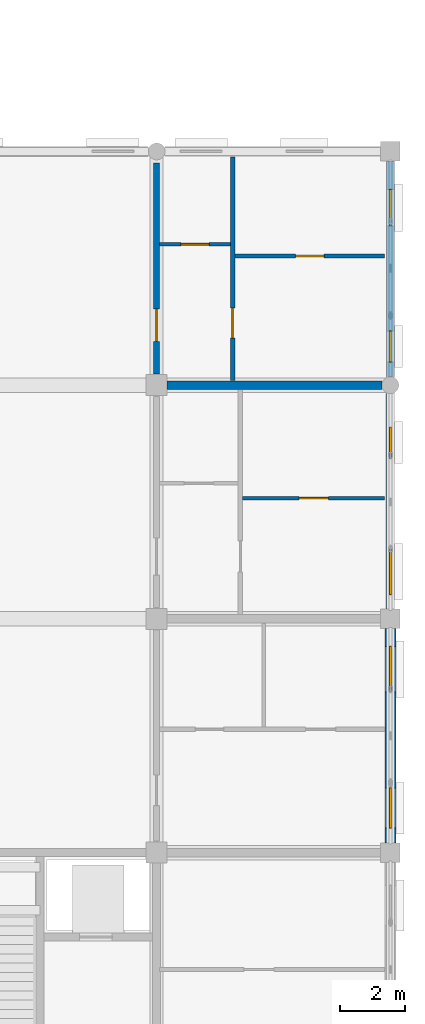
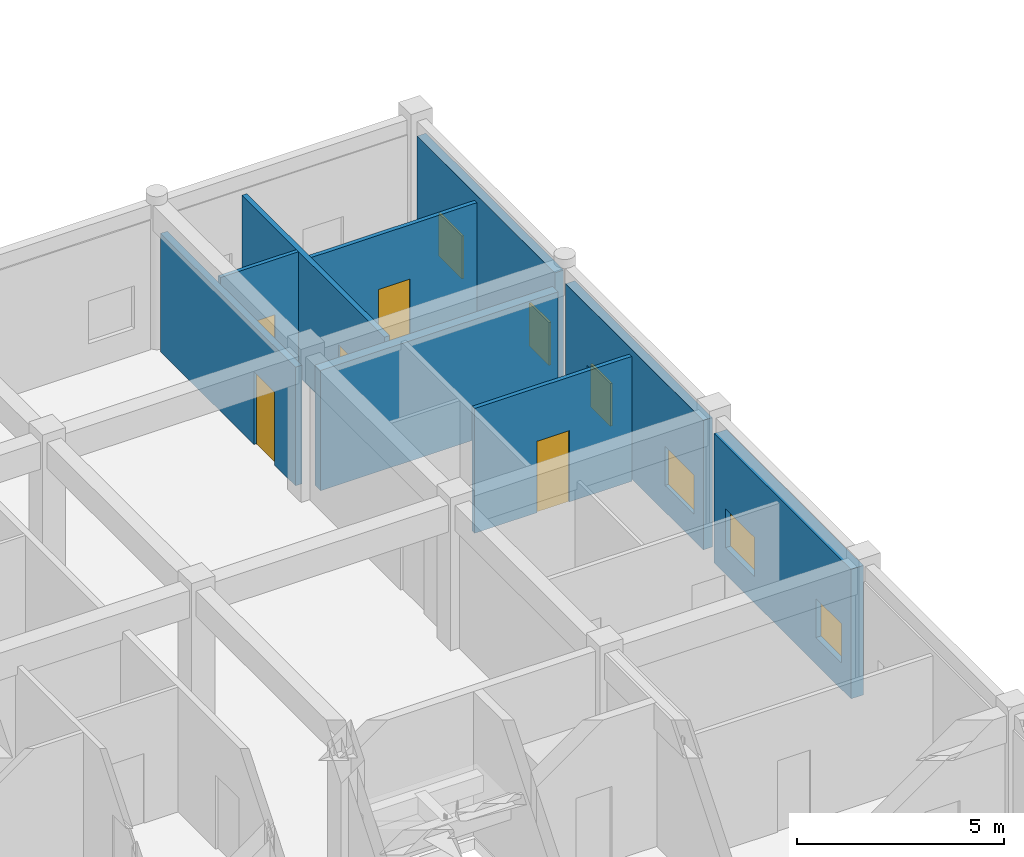
# One storey, part 114 of 138: 9 walls, 6 windows, 5 doors, 11 openings.
"""IFC4 building model written with IfcOpenShell, lengths in metres."""

from ifc_helpers import new_model, si_unit, direction, frame, frame_2d, origin, place, context, subcontext, project, spatial, rectangle, extrude, material, layer, layer_set, type_object, element, fill, save


model = new_model("IFC4")

# Units and contexts
model_context = context("Model", 3, precision=1e-05, world=origin(), true_north=direction((0.0, 1.0)))
body_context = subcontext(model_context, "Body", "Model", "MODEL_VIEW")
ifc_project = project(units=[si_unit("LENGTHUNIT", "METRE"), si_unit("AREAUNIT", "SQUARE_METRE"), si_unit("VOLUMEUNIT", "CUBIC_METRE"), si_unit("PLANEANGLEUNIT", "RADIAN"), si_unit("MASSUNIT", "GRAM", prefix="KILO"), si_unit("THERMODYNAMICTEMPERATUREUNIT", "KELVIN"), si_unit("POWERUNIT", "WATT")], contexts=[model_context])

# Site, building, storey
site_placement = place(None, origin())
site = spatial("IfcSite", under=ifc_project, at=site_placement, CompositionType="ELEMENT")
building_placement = place(site_placement, origin())
building = spatial("IfcBuilding", under=site, at=building_placement, Name="Tavuni Mirador Residences", CompositionType="ELEMENT")
storey_placement = place(building_placement, origin())
storey = spatial("IfcBuildingStorey", under=building, at=storey_placement, Name="L00", CompositionType="ELEMENT", Elevation=0.0)

# Wall, opening, door
ifc_material_1 = material(Name="Precast concrete C40/50", Category="concrete")
ifc_layer_1 = layer(ifc_material_1, 0.18505859375, Name="Precast concrete C40/50", Category="concrete")
ifc_layer_set_1 = layer_set([ifc_layer_1], Name="Precast concrete C40/50")
wall_type_1 = type_object("IfcWallType", Name="WT-CORR185", PredefinedType="PARTITIONING", material=ifc_layer_set_1)
wall_1_placement = place(storey_placement, frame((111.60009765625, 129.949951171875, 0.0), z_axis=(0.0, 0.0, 1.0), x_axis=(0.0, 1.0, 0.0)))
wall_1 = element("IfcWall", 1, at=wall_1_placement, inside=storey, type_object=wall_type_1, Name="CORW-BLK-D-L00-1-06", PredefinedType="PARTITIONING", context=body_context, shape_type="SweptSolid", body=[
    extrude(rectangle(XDim=6.5, YDim=0.18505859375, at=frame_2d((3.25, 0.0))), origin(), (0.0, 0.0, 1.0), 3.489990234375),
])
opening_1_placement = place(wall_1_placement, frame((1.0, 0.0, 0.0)))
opening_1 = element("IfcOpeningElement", 2, at=opening_1_placement, cuts=wall_1, Name="Opening D-03", PredefinedType="OPENING", context=body_context, shape_type="SweptSolid", body=[
    extrude(rectangle(XDim=1.0, YDim=2.14990234375, at=frame_2d((0.5, 1.074951171875))), frame((0.0, 0.1025390625, 0.0), z_axis=(0.0, -1.0, 0.0), x_axis=(1.0, 0.0, 0.0)), (0.0, 0.0, 1.0), 0.205078125),
])
ifc_material_2 = material(Name="Solid core iroko timber", Category="wood")
door_type_1 = type_object("IfcDoorType", Name="DT-FD60-1000", OperationType="NOTDEFINED", PredefinedType="DOOR", material=ifc_material_2)
door_1_placement = place(opening_1_placement, origin())
door_1 = element("IfcDoor", 3, at=door_1_placement, inside=storey, type_object=door_type_1, Name="DR-2820", OperationType="SINGLE_SWING_LEFT", OverallHeight=2.14990234375, OverallWidth=1.0, PredefinedType="DOOR", context=body_context, shape_type="SweptSolid", body=[
    extrude(rectangle(XDim=1.0, YDim=2.14990234375, at=frame_2d((0.5, 1.074951171875))), frame((0.0, 0.02490234375, 0.0), z_axis=(0.0, -1.0, 0.0), x_axis=(1.0, 0.0, 0.0)), (0.0, 0.0, 1.0), 0.050048828125),
])
fill(opening_1, door_1)

# Wall, openings, windows
ifc_material_3 = material(Name="Sgraffito lime-rendered precast concrete C40/50", Category="concrete")
ifc_layer_2 = layer(ifc_material_3, 0.2451171875, Name="Sgraffito lime-rendered precast concrete C40/50", Category="concrete")
ifc_layer_set_2 = layer_set([ifc_layer_2], Name="Sgraffito lime-rendered precast concrete C40/50")
wall_type_2 = type_object("IfcWallType", Name="WT-EXT-PC245", PredefinedType="SOLIDWALL", material=ifc_layer_set_2)
wall_2_placement = place(storey_placement, frame((118.800048828125, 129.860107421875, 0.0), z_axis=(0.0, 0.0, 1.0), x_axis=(0.0, 1.0, 0.0)))
wall_2 = element("IfcWall", 4, at=wall_2_placement, inside=storey, type_object=wall_type_2, Name="EW-BLK-D-L00-E06", PredefinedType="SOLIDWALL", context=body_context, shape_type="SweptSolid", body=[
    extrude(rectangle(XDim=6.639892578125, YDim=0.2451171875, at=frame_2d((3.31982421875, 0.0))), origin(), (0.0, 0.0, 1.0), 3.81005859375),
])
opening_2_placement = place(wall_2_placement, frame((0.449951171875, 0.0, 0.780029296875)))
opening_2 = element("IfcOpeningElement", 5, at=opening_2_placement, cuts=wall_2, Name="Opening WN-10", PredefinedType="OPENING", context=body_context, shape_type="SweptSolid", body=[
    extrude(rectangle(XDim=0.9599609375, YDim=1.260009765625, at=frame_2d((0.47998046875, 0.6298828125))), frame((0.0, 0.132568359375, 0.0), z_axis=(0.0, -1.0, 0.0), x_axis=(1.0, 0.0, 0.0)), (0.0, 0.0, 1.0), 0.26513671875),
])
opening_3_placement = place(wall_2_placement, frame((4.64990234375, 0.0, 0.780029296875)))
opening_3 = element("IfcOpeningElement", 6, at=opening_3_placement, cuts=wall_2, Name="Opening WN-12", PredefinedType="OPENING", context=body_context, shape_type="SweptSolid", body=[
    extrude(rectangle(XDim=1.1201171875, YDim=1.260009765625, at=frame_2d((0.56005859375, 0.6298828125))), frame((0.0, 0.132568359375, 0.0), z_axis=(0.0, -1.0, 0.0), x_axis=(1.0, 0.0, 0.0)), (0.0, 0.0, 1.0), 0.26513671875),
])
ifc_material_4 = material(Name="Laminated solar-control glass", Category="glass")
window_type_1 = type_object("IfcWindowType", Name="WNT-10", PartitioningType="SINGLE_PANEL", PredefinedType="WINDOW", material=ifc_material_4)
window_1_placement = place(opening_2_placement, origin())
window_1 = element("IfcWindow", 7, at=window_1_placement, inside=storey, type_object=window_type_1, Name="WIN-1419", OverallHeight=1.260009765625, OverallWidth=0.9599609375, PartitioningType="SINGLE_PANEL", PredefinedType="WINDOW", context=body_context, shape_type="SweptSolid", body=[
    extrude(rectangle(XDim=0.9599609375, YDim=1.260009765625, at=frame_2d((0.47998046875, 0.6298828125))), frame((0.0, 0.030029296875, 0.0), z_axis=(0.0, -1.0, 0.0), x_axis=(1.0, 0.0, 0.0)), (0.0, 0.0, 1.0), 0.06005859375),
])
fill(opening_2, window_1)
window_type_2 = type_object("IfcWindowType", Name="WNT-12", PartitioningType="SINGLE_PANEL", PredefinedType="WINDOW", material=ifc_material_4)
window_2_placement = place(opening_3_placement, origin())
window_2 = element("IfcWindow", 8, at=window_2_placement, inside=storey, type_object=window_type_2, Name="WIN-1420", OverallHeight=1.260009765625, OverallWidth=1.1201171875, PartitioningType="SINGLE_PANEL", PredefinedType="WINDOW", context=body_context, shape_type="SweptSolid", body=[
    extrude(rectangle(XDim=1.1201171875, YDim=1.260009765625, at=frame_2d((0.56005859375, 0.6298828125))), frame((0.0, 0.030029296875, 0.0), z_axis=(0.0, -1.0, 0.0), x_axis=(1.0, 0.0, 0.0)), (0.0, 0.0, 1.0), 0.06005859375),
])
fill(opening_3, window_2)

ifc_layer_3 = layer(ifc_material_3, 0.2548828125, Name="Sgraffito lime-rendered precast concrete C40/50", Category="concrete")
ifc_layer_set_3 = layer_set([ifc_layer_3], Name="Sgraffito lime-rendered precast concrete C40/50")
wall_type_3 = type_object("IfcWallType", Name="WT-EXT-PC255", PredefinedType="SOLIDWALL", material=ifc_layer_set_3)
wall_3_placement = place(storey_placement, frame((118.800048828125, 122.699951171875, 0.0), z_axis=(0.0, 0.0, 1.0), x_axis=(0.0, 1.0, 0.0)))
wall_3 = element("IfcWall", 9, at=wall_3_placement, inside=storey, type_object=wall_type_3, Name="EW-BLK-D-L00-E05", PredefinedType="SOLIDWALL", context=body_context, shape_type="SweptSolid", body=[
    extrude(rectangle(XDim=6.64013671875, YDim=0.2548828125, at=frame_2d((3.320068359375, 0.0))), origin(), (0.0, 0.0, 1.0), 3.81005859375),
])
opening_4_placement = place(wall_3_placement, frame((0.449951171875, 0.0, 0.780029296875)))
opening_4 = element("IfcOpeningElement", 10, at=opening_4_placement, cuts=wall_3, Name="Opening WN-08", PredefinedType="OPENING", context=body_context, shape_type="SweptSolid", body=[
    extrude(rectangle(XDim=1.39990234375, YDim=1.14990234375, at=frame_2d((0.699951171875, 0.574951171875))), frame((0.0, 0.137451171875, 0.0), z_axis=(0.0, -1.0, 0.0), x_axis=(1.0, 0.0, 0.0)), (0.0, 0.0, 1.0), 0.27490234375),
])
opening_5_placement = place(wall_3_placement, frame((4.64990234375, 0.0, 0.780029296875)))
opening_5 = element("IfcOpeningElement", 11, at=opening_5_placement, cuts=wall_3, Name="Opening WN-10", PredefinedType="OPENING", context=body_context, shape_type="SweptSolid", body=[
    extrude(rectangle(XDim=0.9599609375, YDim=1.260009765625, at=frame_2d((0.47998046875, 0.6298828125))), frame((0.0, 0.137451171875, 0.0), z_axis=(0.0, -1.0, 0.0), x_axis=(1.0, 0.0, 0.0)), (0.0, 0.0, 1.0), 0.27490234375),
])
window_type_3 = type_object("IfcWindowType", Name="WNT-08", PartitioningType="SINGLE_PANEL", PredefinedType="WINDOW", material=ifc_material_4)
window_3_placement = place(opening_4_placement, origin())
window_3 = element("IfcWindow", 12, at=window_3_placement, inside=storey, type_object=window_type_3, Name="WIN-1417", OverallHeight=1.14990234375, OverallWidth=1.39990234375, PartitioningType="SINGLE_PANEL", PredefinedType="WINDOW", context=body_context, shape_type="SweptSolid", body=[
    extrude(rectangle(XDim=1.39990234375, YDim=1.14990234375, at=frame_2d((0.699951171875, 0.574951171875))), frame((0.0, 0.030029296875, 0.0), z_axis=(0.0, -1.0, 0.0), x_axis=(1.0, 0.0, 0.0)), (0.0, 0.0, 1.0), 0.06005859375),
])
fill(opening_4, window_3)
window_4_placement = place(opening_5_placement, origin())
window_4 = element("IfcWindow", 13, at=window_4_placement, inside=storey, type_object=window_type_1, Name="WIN-1418", OverallHeight=1.260009765625, OverallWidth=0.9599609375, PartitioningType="SINGLE_PANEL", PredefinedType="WINDOW", context=body_context, shape_type="SweptSolid", body=[
    extrude(rectangle(XDim=0.9599609375, YDim=1.260009765625, at=frame_2d((0.47998046875, 0.6298828125))), frame((0.0, 0.030029296875, 0.0), z_axis=(0.0, -1.0, 0.0), x_axis=(1.0, 0.0, 0.0)), (0.0, 0.0, 1.0), 0.06005859375),
])
fill(opening_5, window_4)

ifc_layer_4 = layer(ifc_material_3, 0.344970703125, Name="Sgraffito lime-rendered precast concrete C40/50", Category="concrete")
ifc_layer_set_4 = layer_set([ifc_layer_4], Name="Sgraffito lime-rendered precast concrete C40/50")
wall_type_4 = type_object("IfcWallType", Name="WT-EXT-PTY345", PredefinedType="SOLIDWALL", material=ifc_layer_set_4)
wall_4_placement = place(storey_placement, frame((118.800048828125, 115.5, 0.0), z_axis=(0.0, 0.0, 1.0), x_axis=(0.0, 1.0, 0.0)))
wall_4 = element("IfcWall", 14, at=wall_4_placement, inside=storey, type_object=wall_type_4, Name="EW-BLK-D-L00-E04", PredefinedType="SOLIDWALL", context=body_context, shape_type="SweptSolid", body=[
    extrude(rectangle(XDim=6.60009765625, YDim=0.344970703125, at=frame_2d((3.300048828125, 0.0))), origin(), (0.0, 0.0, 1.0), 3.81005859375),
])
opening_6_placement = place(wall_4_placement, frame((0.449951171875, 0.0, 0.780029296875)))
opening_6 = element("IfcOpeningElement", 15, at=opening_6_placement, cuts=wall_4, Name="Opening WN-06", PredefinedType="OPENING", context=body_context, shape_type="SweptSolid", body=[
    extrude(rectangle(XDim=1.239990234375, YDim=1.14990234375, at=frame_2d((0.6201171875, 0.574951171875))), frame((0.0, 0.1826171875, 0.0), z_axis=(0.0, -1.0, 0.0), x_axis=(1.0, 0.0, 0.0)), (0.0, 0.0, 1.0), 0.364990234375),
])
opening_7_placement = place(wall_4_placement, frame((4.64990234375, 0.0, 0.780029296875)))
opening_7 = element("IfcOpeningElement", 16, at=opening_7_placement, cuts=wall_4, Name="Opening WN-08", PredefinedType="OPENING", context=body_context, shape_type="SweptSolid", body=[
    extrude(rectangle(XDim=1.39990234375, YDim=1.14990234375, at=frame_2d((0.699951171875, 0.574951171875))), frame((0.0, 0.1826171875, 0.0), z_axis=(0.0, -1.0, 0.0), x_axis=(1.0, 0.0, 0.0)), (0.0, 0.0, 1.0), 0.364990234375),
])
window_type_4 = type_object("IfcWindowType", Name="WNT-06", PartitioningType="SINGLE_PANEL", PredefinedType="WINDOW", material=ifc_material_4)
window_5_placement = place(opening_6_placement, origin())
window_5 = element("IfcWindow", 17, at=window_5_placement, inside=storey, type_object=window_type_4, Name="WIN-1415", OverallHeight=1.14990234375, OverallWidth=1.239990234375, PartitioningType="SINGLE_PANEL", PredefinedType="WINDOW", context=body_context, shape_type="SweptSolid", body=[
    extrude(rectangle(XDim=1.239990234375, YDim=1.14990234375, at=frame_2d((0.6201171875, 0.574951171875))), frame((0.0, 0.030029296875, 0.0), z_axis=(0.0, -1.0, 0.0), x_axis=(1.0, 0.0, 0.0)), (0.0, 0.0, 1.0), 0.06005859375),
])
fill(opening_6, window_5)
window_6_placement = place(opening_7_placement, origin())
window_6 = element("IfcWindow", 18, at=window_6_placement, inside=storey, type_object=window_type_3, Name="WIN-1416", OverallHeight=1.14990234375, OverallWidth=1.39990234375, PartitioningType="SINGLE_PANEL", PredefinedType="WINDOW", context=body_context, shape_type="SweptSolid", body=[
    extrude(rectangle(XDim=1.39990234375, YDim=1.14990234375, at=frame_2d((0.699951171875, 0.574951171875))), frame((0.0, 0.030029296875, 0.0), z_axis=(0.0, -1.0, 0.0), x_axis=(1.0, 0.0, 0.0)), (0.0, 0.0, 1.0), 0.06005859375),
])
fill(opening_7, window_6)

# Wall, opening, door
ifc_material_5 = material(Name="Acoustic gypsum and concrete block partition", Category="concrete")
ifc_layer_5 = layer(ifc_material_5, 0.10498046875, Name="Acoustic gypsum and concrete block partition", Category="concrete")
ifc_layer_set_5 = layer_set([ifc_layer_5], Name="Acoustic gypsum and concrete block partition")
wall_type_5 = type_object("IfcWallType", Name="WT-PART105", PredefinedType="PARTITIONING", material=ifc_layer_set_5)
wall_5_placement = place(storey_placement, frame((111.68994140625, 133.93994140625, 0.0), z_axis=(0.0, 0.0, 1.0), x_axis=(1.0, 0.0, 0.0)))
wall_5 = element("IfcWall", 19, at=wall_5_placement, inside=storey, type_object=wall_type_5, Name="PW-BLK-D-L00-E06-IN1", PredefinedType="PARTITIONING", context=body_context, shape_type="SweptSolid", body=[
    extrude(rectangle(XDim=2.18017578125, YDim=0.10498046875, at=frame_2d((1.090087890625, 0.0))), origin(), (0.0, 0.0, 1.0), 3.675048828125),
])
opening_8_placement = place(wall_5_placement, frame((0.655029296875, 0.0, 0.0)))
opening_8 = element("IfcOpeningElement", 20, at=opening_8_placement, cuts=wall_5, Name="Opening D-10", PredefinedType="OPENING", context=body_context, shape_type="SweptSolid", body=[
    extrude(rectangle(XDim=0.8701171875, YDim=2.050048828125, at=frame_2d((0.43505859375, 1.02490234375))), frame((0.0, 0.0625, 0.0), z_axis=(0.0, -1.0, 0.0), x_axis=(1.0, 0.0, 0.0)), (0.0, 0.0, 1.0), 0.125),
])
door_type_2 = type_object("IfcDoorType", Name="DT-WC870", OperationType="NOTDEFINED", PredefinedType="DOOR", material=ifc_material_2)
door_2_placement = place(opening_8_placement, origin())
door_2 = element("IfcDoor", 21, at=door_2_placement, inside=storey, type_object=door_type_2, Name="DR-4311", OperationType="SINGLE_SWING_LEFT", OverallHeight=2.050048828125, OverallWidth=0.8701171875, PredefinedType="DOOR", context=body_context, shape_type="SweptSolid", body=[
    extrude(rectangle(XDim=0.8701171875, YDim=2.050048828125, at=frame_2d((0.43505859375, 1.02490234375))), frame((0.0, 0.02490234375, 0.0), z_axis=(0.0, -1.0, 0.0), x_axis=(1.0, 0.0, 0.0)), (0.0, 0.0, 1.0), 0.050048828125),
])
fill(opening_8, door_2)

ifc_layer_6 = layer(ifc_material_5, 0.114990234375, Name="Acoustic gypsum and concrete block partition", Category="concrete")
ifc_layer_set_6 = layer_set([ifc_layer_6], Name="Acoustic gypsum and concrete block partition")
wall_type_6 = type_object("IfcWallType", Name="WT-PART115", PredefinedType="PARTITIONING", material=ifc_layer_set_6)
wall_6_placement = place(storey_placement, frame((114.25, 126.1201171875, 0.0), z_axis=(0.0, 0.0, 1.0), x_axis=(1.0, 0.0, 0.0)))
wall_6 = element("IfcWall", 22, at=wall_6_placement, inside=storey, type_object=wall_type_6, Name="PW-BLK-D-L00-E05-OUT", PredefinedType="PARTITIONING", context=body_context, shape_type="SweptSolid", body=[
    extrude(rectangle(XDim=4.375, YDim=0.114990234375, at=frame_2d((2.1875, 0.0))), origin(), (0.0, 0.0, 1.0), 3.675048828125),
])
opening_9_placement = place(wall_6_placement, frame((1.737548828125, 0.0, 0.0)))
opening_9 = element("IfcOpeningElement", 23, at=opening_9_placement, cuts=wall_6, Name="Opening D-07", PredefinedType="OPENING", context=body_context, shape_type="SweptSolid", body=[
    extrude(rectangle(XDim=0.89990234375, YDim=2.10009765625, at=frame_2d((0.449951171875, 1.050048828125))), frame((0.0, 0.0673828125, 0.0), z_axis=(0.0, -1.0, 0.0), x_axis=(1.0, 0.0, 0.0)), (0.0, 0.0, 1.0), 0.135009765625),
])
door_type_3 = type_object("IfcDoorType", Name="DT-BED900", OperationType="NOTDEFINED", PredefinedType="DOOR", material=ifc_material_2)
door_3_placement = place(opening_9_placement, origin())
door_3 = element("IfcDoor", 24, at=door_3_placement, inside=storey, type_object=door_type_3, Name="DR-4304", OperationType="SINGLE_SWING_LEFT", OverallHeight=2.10009765625, OverallWidth=0.89990234375, PredefinedType="DOOR", context=body_context, shape_type="SweptSolid", body=[
    extrude(rectangle(XDim=0.89990234375, YDim=2.10009765625, at=frame_2d((0.449951171875, 1.050048828125))), frame((0.0, 0.02490234375, 0.0), z_axis=(0.0, -1.0, 0.0), x_axis=(1.0, 0.0, 0.0)), (0.0, 0.0, 1.0), 0.050048828125),
])
fill(opening_9, door_3)

wall_7_placement = place(storey_placement, frame((114.010009765625, 133.580078125, 0.0), z_axis=(0.0, 0.0, 1.0), x_axis=(1.0, 0.0, 0.0)))
wall_7 = element("IfcWall", 25, at=wall_7_placement, inside=storey, type_object=wall_type_6, Name="PW-BLK-D-L00-E06-OUT", PredefinedType="PARTITIONING", context=body_context, shape_type="SweptSolid", body=[
    extrude(rectangle(XDim=4.614990234375, YDim=0.114990234375, at=frame_2d((2.3076171875, 0.0))), origin(), (0.0, 0.0, 1.0), 3.675048828125),
])
opening_10_placement = place(wall_7_placement, frame((1.867431640625, 0.0, 0.0)))
opening_10 = element("IfcOpeningElement", 26, at=opening_10_placement, cuts=wall_7, Name="Opening D-08", PredefinedType="OPENING", context=body_context, shape_type="SweptSolid", body=[
    extrude(rectangle(XDim=0.8798828125, YDim=2.080078125, at=frame_2d((0.43994140625, 1.0400390625))), frame((0.0, 0.0673828125, 0.0), z_axis=(0.0, -1.0, 0.0), x_axis=(1.0, 0.0, 0.0)), (0.0, 0.0, 1.0), 0.135009765625),
])
door_type_4 = type_object("IfcDoorType", Name="DT-BED880", OperationType="NOTDEFINED", PredefinedType="DOOR", material=ifc_material_2)
door_4_placement = place(opening_10_placement, origin())
door_4 = element("IfcDoor", 27, at=door_4_placement, inside=storey, type_object=door_type_4, Name="DR-4310", OperationType="SINGLE_SWING_RIGHT", OverallHeight=2.080078125, OverallWidth=0.8798828125, PredefinedType="DOOR", context=body_context, shape_type="SweptSolid", body=[
    extrude(rectangle(XDim=0.8798828125, YDim=2.080078125, at=frame_2d((0.43994140625, 1.0400390625))), frame((0.0, 0.02490234375, 0.0), z_axis=(0.0, -1.0, 0.0), x_axis=(1.0, 0.0, 0.0)), (0.0, 0.0, 1.0), 0.050048828125),
])
fill(opening_10, door_4)

ifc_layer_7 = layer(ifc_material_5, 0.139892578125, Name="Acoustic gypsum and concrete block partition", Category="concrete")
ifc_layer_set_7 = layer_set([ifc_layer_7], Name="Acoustic gypsum and concrete block partition")
wall_type_7 = type_object("IfcWallType", Name="WT-PART140", PredefinedType="PARTITIONING", material=ifc_layer_set_7)
wall_8_placement = place(storey_placement, frame((113.93994140625, 129.739990234375, 0.0), z_axis=(0.0, 0.0, 1.0), x_axis=(0.0, 1.0, 0.0)))
wall_8 = element("IfcWall", 28, at=wall_8_placement, inside=storey, type_object=wall_type_7, Name="PW-BLK-D-L00-E06-MID", PredefinedType="PARTITIONING", context=body_context, shape_type="SweptSolid", body=[
    extrude(rectangle(XDim=6.885009765625, YDim=0.139892578125, at=frame_2d((3.4423828125, 0.0))), origin(), (0.0, 0.0, 1.0), 3.675048828125),
])
opening_11_placement = place(wall_8_placement, frame((1.31005859375, 0.0, 0.0)))
opening_11 = element("IfcOpeningElement", 29, at=opening_11_placement, cuts=wall_8, Name="Opening D-06", PredefinedType="OPENING", context=body_context, shape_type="SweptSolid", body=[
    extrude(rectangle(XDim=0.919921875, YDim=2.10009765625, at=frame_2d((0.4599609375, 1.050048828125))), frame((0.0, 0.080078125, 0.0), z_axis=(0.0, -1.0, 0.0), x_axis=(1.0, 0.0, 0.0)), (0.0, 0.0, 1.0), 0.159912109375),
])
door_type_5 = type_object("IfcDoorType", Name="DT-INT920", OperationType="NOTDEFINED", PredefinedType="DOOR", material=ifc_material_2)
door_5_placement = place(opening_11_placement, origin())
door_5 = element("IfcDoor", 30, at=door_5_placement, inside=storey, type_object=door_type_5, Name="DR-4312", OperationType="SINGLE_SWING_RIGHT", OverallHeight=2.10009765625, OverallWidth=0.919921875, PredefinedType="DOOR", context=body_context, shape_type="SweptSolid", body=[
    extrude(rectangle(XDim=0.919921875, YDim=2.10009765625, at=frame_2d((0.4599609375, 1.050048828125))), frame((0.0, 0.02490234375, 0.0), z_axis=(0.0, -1.0, 0.0), x_axis=(1.0, 0.0, 0.0)), (0.0, 0.0, 1.0), 0.050048828125),
])
fill(opening_11, door_5)

# Wall
ifc_layer_8 = layer(ifc_material_1, 0.264892578125, Name="Precast concrete C40/50", Category="concrete")
ifc_layer_set_8 = layer_set([ifc_layer_8], Name="Precast concrete C40/50")
wall_type_8 = type_object("IfcWallType", Name="WT-XW265", PredefinedType="SOLIDWALL", material=ifc_layer_set_8)
wall_9_placement = place(storey_placement, frame((111.925048828125, 129.60009765625, 0.0), z_axis=(0.0, 0.0, 1.0), x_axis=(1.0, 0.0, 0.0)))
element("IfcWall", 31, at=wall_9_placement, inside=storey, type_object=wall_type_8, Name="XW-BLK-D-L00-E-06", PredefinedType="SOLIDWALL", context=body_context, shape_type="SweptSolid", body=[
    extrude(rectangle(XDim=6.614990234375, YDim=0.264892578125, at=frame_2d((3.3076171875, 0.0))), origin(), (0.0, 0.0, 1.0), 3.5400390625),
])

save(model, "model.ifc")
